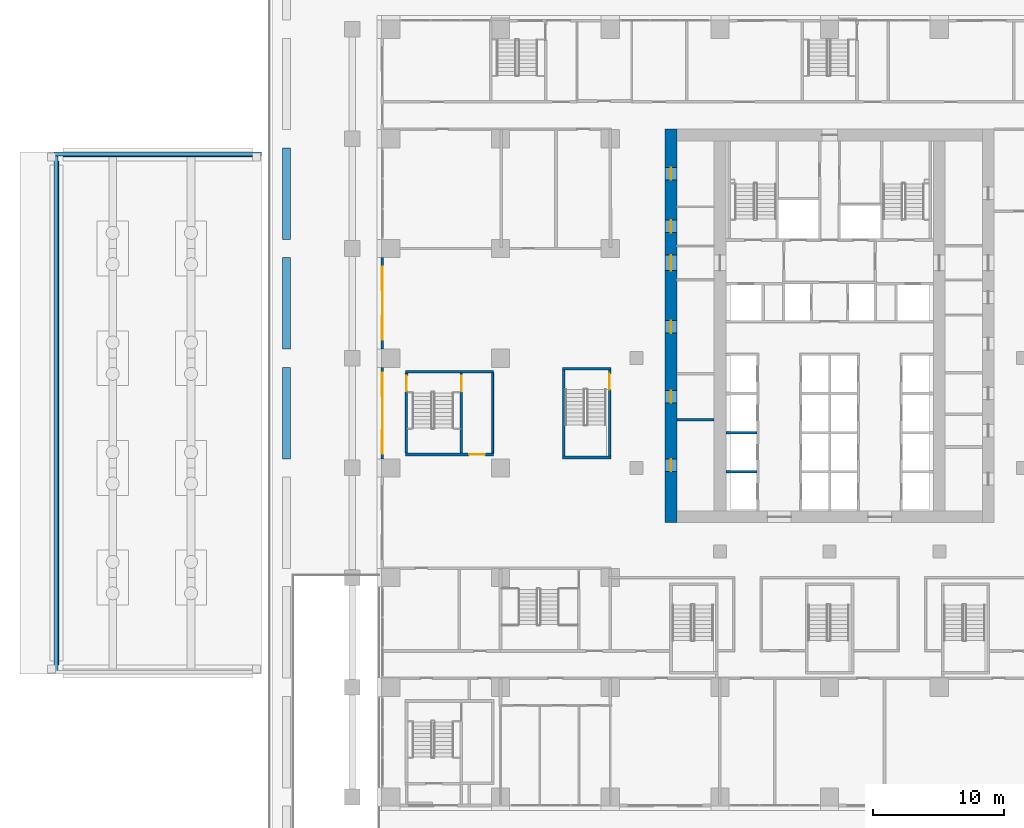
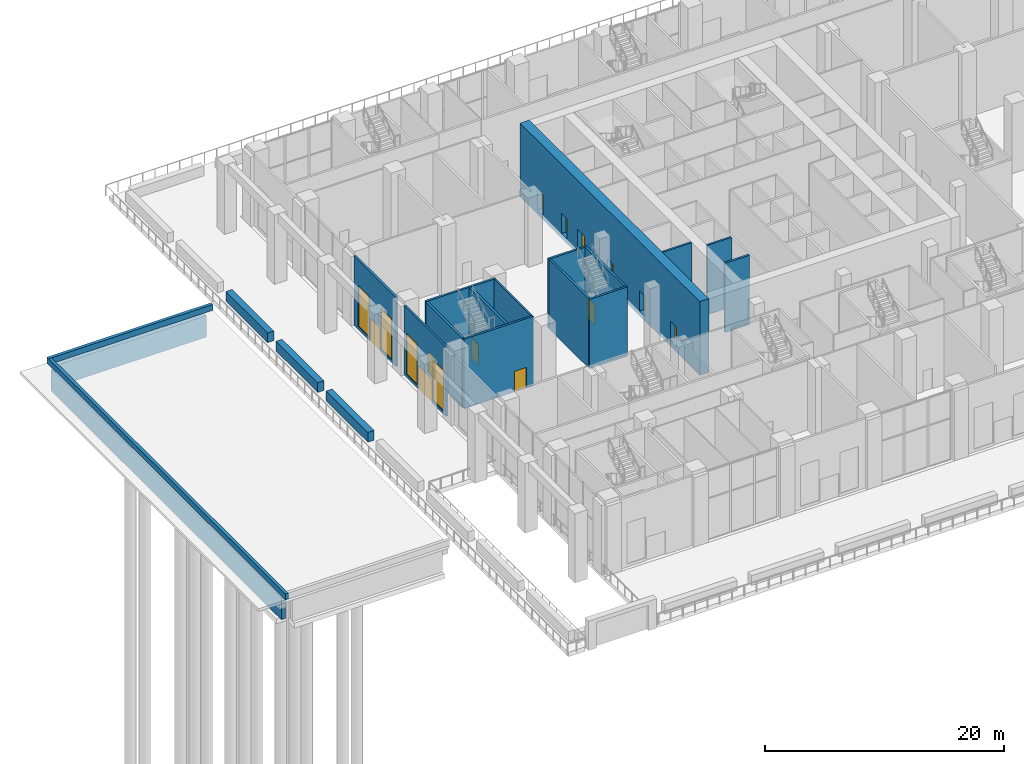
# One storey, part 23 of 53: 22 walls, 12 doors, 4 windows, 16 openings.
"""IFC4 building model written with IfcOpenShell, lengths in metres."""

from ifc_helpers import new_model, si_unit, direction, frame, frame_2d, origin, place, context, subcontext, project, spatial, rectangle, extrude, material, layer, layer_set, type_object, element, fill, save


model = new_model("IFC4")

# Units and contexts
model_context = context("Model", 3, precision=1e-05, world=origin(), true_north=direction((0.0, 1.0)))
body_context = subcontext(model_context, "Body", "Model", "MODEL_VIEW")
ifc_project = project(units=[si_unit("LENGTHUNIT", "METRE"), si_unit("AREAUNIT", "SQUARE_METRE"), si_unit("VOLUMEUNIT", "CUBIC_METRE"), si_unit("PLANEANGLEUNIT", "RADIAN"), si_unit("MASSUNIT", "GRAM", prefix="KILO")], contexts=[model_context])

# Site, building, storey
site_placement = place(None, origin())
site = spatial("IfcSite", under=ifc_project, at=site_placement, CompositionType="ELEMENT")
building_placement = place(site_placement, origin())
building = spatial("IfcBuilding", under=site, at=building_placement, Name="Vermilion Ogive Tower", CompositionType="ELEMENT")
storey_placement = place(building_placement, origin())
storey = spatial("IfcBuildingStorey", under=building, at=storey_placement, Name="L00", CompositionType="ELEMENT", Elevation=0.0)

# Wall, openings, doors
ifc_material_1 = material(Name="Concrete B80", Category="concrete")
ifc_layer_1 = layer(ifc_material_1, 0.89990234375)
ifc_layer_set_1 = layer_set([ifc_layer_1], Name="Core wall 900 B80")
wall_type_1 = type_object("IfcWallType", Name="Core wall 900 B80", PredefinedType="SHEAR", material=ifc_layer_set_1)
wall_1_placement = place(storey_placement, frame((-12.14990234375, -8.39990234375, -0.449951171875), z_axis=(0.0, 0.0, 1.0), x_axis=(0.0, 1.0, 0.0)))
wall_1 = element("IfcWall", 1, at=wall_1_placement, inside=storey, type_object=wall_type_1, Name="L00-CORE-W", PredefinedType="SHEAR", context=body_context, shape_type="SweptSolid", body=[
    extrude(rectangle(XDim=30.14990234375, YDim=0.89990234375, at=frame_2d((15.074951171875, 0.0))), origin(), (0.0, 0.0, 1.0), 7.550048828125),
])
opening_1_placement = place(wall_1_placement, frame((3.925048828125, 0.0, 0.449951171875)))
opening_1 = element("IfcOpeningElement", 2, at=opening_1_placement, cuts=wall_1, Name="Opening DAK001", PredefinedType="OPENING", context=body_context, shape_type="SweptSolid", body=[
    extrude(rectangle(XDim=0.949951171875, YDim=2.10009765625, at=frame_2d((0.47509765625, 1.050048828125))), frame((0.0, 0.4599609375, 0.0), z_axis=(0.0, -1.0, 0.0), x_axis=(1.0, 0.0, 0.0)), (0.0, 0.0, 1.0), 0.919921875),
])
opening_2_placement = place(wall_1_placement, frame((9.175048828125, 0.0, 0.449951171875)))
opening_2 = element("IfcOpeningElement", 3, at=opening_2_placement, cuts=wall_1, Name="Opening DAK002", PredefinedType="OPENING", context=body_context, shape_type="SweptSolid", body=[
    extrude(rectangle(XDim=0.949951171875, YDim=2.10009765625, at=frame_2d((0.47509765625, 1.050048828125))), frame((0.0, 0.4599609375, 0.0), z_axis=(0.0, -1.0, 0.0), x_axis=(1.0, 0.0, 0.0)), (0.0, 0.0, 1.0), 0.919921875),
])
opening_3_placement = place(wall_1_placement, frame((14.52490234375, 0.0, 0.449951171875)))
opening_3 = element("IfcOpeningElement", 4, at=opening_3_placement, cuts=wall_1, Name="Opening DAK003", PredefinedType="OPENING", context=body_context, shape_type="SweptSolid", body=[
    extrude(rectangle(XDim=0.949951171875, YDim=2.10009765625, at=frame_2d((0.47509765625, 1.050048828125))), frame((0.0, 0.4599609375, 0.0), z_axis=(0.0, -1.0, 0.0), x_axis=(1.0, 0.0, 0.0)), (0.0, 0.0, 1.0), 0.919921875),
])
opening_4_placement = place(wall_1_placement, frame((22.22509765625, 0.0, 0.449951171875)))
opening_4 = element("IfcOpeningElement", 5, at=opening_4_placement, cuts=wall_1, Name="Opening DAK004", PredefinedType="OPENING", context=body_context, shape_type="SweptSolid", body=[
    extrude(rectangle(XDim=0.949951171875, YDim=2.10009765625, at=frame_2d((0.47509765625, 1.050048828125))), frame((0.0, 0.4599609375, 0.0), z_axis=(0.0, -1.0, 0.0), x_axis=(1.0, 0.0, 0.0)), (0.0, 0.0, 1.0), 0.919921875),
])
opening_5_placement = place(wall_1_placement, frame((26.25, 0.0, 0.449951171875)))
opening_5 = element("IfcOpeningElement", 6, at=opening_5_placement, cuts=wall_1, Name="Opening DAK005", PredefinedType="OPENING", context=body_context, shape_type="SweptSolid", body=[
    extrude(rectangle(XDim=0.949951171875, YDim=2.10009765625, at=frame_2d((0.47509765625, 1.050048828125))), frame((0.0, 0.4599609375, 0.0), z_axis=(0.0, -1.0, 0.0), x_axis=(1.0, 0.0, 0.0)), (0.0, 0.0, 1.0), 0.919921875),
])
opening_6_placement = place(wall_1_placement, frame((19.300048828125, 0.0, 0.449951171875)))
opening_6 = element("IfcOpeningElement", 7, at=opening_6_placement, cuts=wall_1, Name="Opening DBB001", PredefinedType="OPENING", context=body_context, shape_type="SweptSolid", body=[
    extrude(rectangle(XDim=1.199951171875, YDim=2.10009765625, at=frame_2d((0.60009765625, 1.050048828125))), frame((0.0, 0.4599609375, 0.0), z_axis=(0.0, -1.0, 0.0), x_axis=(1.0, 0.0, 0.0)), (0.0, 0.0, 1.0), 0.919921875),
])
ifc_material_2 = material(Name="Timber door leaf", Category="wood")
door_type_1 = type_object("IfcDoorType", Name="Link door 1200 x 2100 FD60S", OperationType="SINGLE_SWING_LEFT", PredefinedType="DOOR", material=ifc_material_2)
door_1_placement = place(opening_6_placement, origin())
door_1 = element("IfcDoor", 8, at=door_1_placement, inside=storey, type_object=door_type_1, Name="L00-CKW-XL", OperationType="SINGLE_SWING_LEFT", OverallHeight=2.10009765625, OverallWidth=1.199951171875, PredefinedType="DOOR", context=body_context, shape_type="SweptSolid", body=[
    extrude(rectangle(XDim=1.199951171875, YDim=2.10009765625, at=frame_2d((0.60009765625, 1.050048828125))), frame((0.0, 0.02490234375, 0.0), z_axis=(0.0, -1.0, 0.0), x_axis=(1.0, 0.0, 0.0)), (0.0, 0.0, 1.0), 0.050048828125),
])
fill(opening_6, door_1)
ifc_material_3 = material(Name="Timber door leaf", Category="wood")
door_type_2 = type_object("IfcDoorType", Name="Service door 950 x 2100 FD60", OperationType="SINGLE_SWING_LEFT", PredefinedType="DOOR", material=ifc_material_3)
door_2_placement = place(opening_1_placement, origin())
door_2 = element("IfcDoor", 9, at=door_2_placement, inside=storey, type_object=door_type_2, Name="L00-CKW-XR0", OperationType="SINGLE_SWING_LEFT", OverallHeight=2.10009765625, OverallWidth=0.949951171875, PredefinedType="DOOR", context=body_context, shape_type="SweptSolid", body=[
    extrude(rectangle(XDim=0.949951171875, YDim=2.10009765625, at=frame_2d((0.47509765625, 1.050048828125))), frame((0.0, 0.02490234375, 0.0), z_axis=(0.0, -1.0, 0.0), x_axis=(1.0, 0.0, 0.0)), (0.0, 0.0, 1.0), 0.050048828125),
])
fill(opening_1, door_2)
door_3_placement = place(opening_2_placement, origin())
door_3 = element("IfcDoor", 10, at=door_3_placement, inside=storey, type_object=door_type_2, Name="L00-CKW-XR1", OperationType="SINGLE_SWING_LEFT", OverallHeight=2.10009765625, OverallWidth=0.949951171875, PredefinedType="DOOR", context=body_context, shape_type="SweptSolid", body=[
    extrude(rectangle(XDim=0.949951171875, YDim=2.10009765625, at=frame_2d((0.47509765625, 1.050048828125))), frame((0.0, 0.02490234375, 0.0), z_axis=(0.0, -1.0, 0.0), x_axis=(1.0, 0.0, 0.0)), (0.0, 0.0, 1.0), 0.050048828125),
])
fill(opening_2, door_3)
door_4_placement = place(opening_3_placement, origin())
door_4 = element("IfcDoor", 11, at=door_4_placement, inside=storey, type_object=door_type_2, Name="L00-CKW-XR2", OperationType="SINGLE_SWING_LEFT", OverallHeight=2.10009765625, OverallWidth=0.949951171875, PredefinedType="DOOR", context=body_context, shape_type="SweptSolid", body=[
    extrude(rectangle(XDim=0.949951171875, YDim=2.10009765625, at=frame_2d((0.47509765625, 1.050048828125))), frame((0.0, 0.02490234375, 0.0), z_axis=(0.0, -1.0, 0.0), x_axis=(1.0, 0.0, 0.0)), (0.0, 0.0, 1.0), 0.050048828125),
])
fill(opening_3, door_4)
door_5_placement = place(opening_4_placement, origin())
door_5 = element("IfcDoor", 12, at=door_5_placement, inside=storey, type_object=door_type_2, Name="L00-CKW-XR3", OperationType="SINGLE_SWING_LEFT", OverallHeight=2.10009765625, OverallWidth=0.949951171875, PredefinedType="DOOR", context=body_context, shape_type="SweptSolid", body=[
    extrude(rectangle(XDim=0.949951171875, YDim=2.10009765625, at=frame_2d((0.47509765625, 1.050048828125))), frame((0.0, 0.02490234375, 0.0), z_axis=(0.0, -1.0, 0.0), x_axis=(1.0, 0.0, 0.0)), (0.0, 0.0, 1.0), 0.050048828125),
])
fill(opening_4, door_5)
door_6_placement = place(opening_5_placement, origin())
door_6 = element("IfcDoor", 13, at=door_6_placement, inside=storey, type_object=door_type_2, Name="L00-CKW-XR4", OperationType="SINGLE_SWING_LEFT", OverallHeight=2.10009765625, OverallWidth=0.949951171875, PredefinedType="DOOR", context=body_context, shape_type="SweptSolid", body=[
    extrude(rectangle(XDim=0.949951171875, YDim=2.10009765625, at=frame_2d((0.47509765625, 1.050048828125))), frame((0.0, 0.02490234375, 0.0), z_axis=(0.0, -1.0, 0.0), x_axis=(1.0, 0.0, 0.0)), (0.0, 0.0, 1.0), 0.050048828125),
])
fill(opening_5, door_6)

# Walls
ifc_material_4 = material(Name="Gypsum board partition on steel studs", Category="steel")
ifc_layer_2 = layer(ifc_material_4, 0.14990234375)
ifc_layer_set_2 = layer_set([ifc_layer_2], Name="Partition 150 corridor")
wall_type_2 = type_object("IfcWallType", Name="Partition 150 corridor", PredefinedType="PARTITIONING", material=ifc_layer_set_2)
wall_2_placement = place(storey_placement, frame((-25.800048828125, -3.074951171875, 0.0), z_axis=(0.0, 0.0, 1.0), x_axis=(0.0, 1.0, 0.0)))
element("IfcWall", 14, at=wall_2_placement, inside=storey, type_object=wall_type_2, Name="L00-FS-W-W059", PredefinedType="PARTITIONING", context=body_context, shape_type="SweptSolid", body=[
    extrude(rectangle(XDim=6.14990234375, YDim=0.14990234375, at=frame_2d((3.074951171875, 0.0))), origin(), (0.0, 0.0, 1.0), 7.10009765625),
])
ifc_material_5 = material(Name="Gypsum board partition on steel studs", Category="steel")
ifc_layer_3 = layer(ifc_material_5, 0.199951171875)
ifc_layer_set_3 = layer_set([ifc_layer_3], Name="Partition 200 party")
wall_type_3 = type_object("IfcWallType", Name="Partition 200 party", PredefinedType="PARTITIONING", material=ifc_layer_set_3)
for number, where, z_axis, x_axis, name in (
    (15, (-7.948974609375, -4.5, 0.0), (0.0, 0.0, 1.0), (1.0, 0.0, 0.0), "L00-CK-W-W001"),
    (16, (-7.948974609375, -1.5, 0.0), (0.0, 0.0, 1.0), (1.0, 0.0, 0.0), "L00-CK-W-W004"),
):
    element("IfcWall", number, at=place(storey_placement, frame(where, z_axis=z_axis, x_axis=x_axis)), inside=storey, type_object=wall_type_3, Name=name, PredefinedType="PARTITIONING", context=body_context, shape_type="SweptSolid", body=[
        extrude(rectangle(XDim=2.3740234375, YDim=0.199951171875, at=frame_2d((1.18701171875, 0.0))), origin(), (0.0, 0.0, 1.0), 7.10009765625),
    ])
wall_3_placement = place(storey_placement, frame((-11.698974609375, -0.5, 0.0), z_axis=(0.0, 0.0, 1.0), x_axis=(1.0, 0.0, 0.0)))
element("IfcWall", 17, at=wall_3_placement, inside=storey, type_object=wall_type_3, Name="L00-CKW-W-W001", PredefinedType="PARTITIONING", context=body_context, shape_type="SweptSolid", body=[
    extrude(rectangle(XDim=2.847900390625, YDim=0.199951171875, at=frame_2d((1.423828125, 0.0))), origin(), (0.0, 0.0, 1.0), 7.10009765625),
])
ifc_material_6 = material(Name="Concrete B45", Category="concrete")
ifc_layer_4 = layer(ifc_material_6, 0.300048828125)
ifc_layer_set_4 = layer_set([ifc_layer_4], Name="Quay edge curb QK1")
wall_type_4 = type_object("IfcWallType", Name="Quay edge curb QK1", PredefinedType="PARAPET", material=ifc_layer_set_4)
wall_4_placement = place(storey_placement, frame((-59.39990234375, 19.85009765625, 0.0), z_axis=(0.0, 0.0, 1.0), x_axis=(1.0, 0.0, 0.0)))
element("IfcWall", 18, at=wall_4_placement, inside=storey, type_object=wall_type_4, Name="Quay edge curb DROP N", PredefinedType="PARAPET", context=body_context, shape_type="SweptSolid", body=[
    extrude(rectangle(XDim=15.89990234375, YDim=0.300048828125, at=frame_2d((7.949951171875, 0.0))), origin(), (0.0, 0.0, 1.0), 0.60009765625),
])
wall_5_placement = place(storey_placement, frame((-59.25, -20.0, 0.0), z_axis=(0.0, 0.0, 1.0), x_axis=(0.0, 1.0, 0.0)))
element("IfcWall", 19, at=wall_5_placement, inside=storey, type_object=wall_type_4, Name="Quay edge curb DROP W", PredefinedType="PARAPET", context=body_context, shape_type="SweptSolid", body=[
    extrude(rectangle(XDim=40.0, YDim=0.300048828125, at=frame_2d((20.0, 0.0))), origin(), (0.0, 0.0, 1.0), 0.60009765625),
])
ifc_material_7 = material(Name="Concrete B45", Category="concrete")
ifc_layer_5 = layer(ifc_material_7, 0.39990234375)
ifc_layer_set_5 = layer_set([ifc_layer_5], Name="Quay wall QW2 400")
wall_type_5 = type_object("IfcWallType", Name="Quay wall QW2 400", PredefinedType="SOLIDWALL", material=ifc_layer_set_5)
wall_6_placement = place(storey_placement, frame((-58.699951171875, 19.800048828125, -2.449951171875), z_axis=(0.0, 0.0, 1.0), x_axis=(1.0, 0.0, 0.0)))
element("IfcWall", 20, at=wall_6_placement, inside=storey, type_object=wall_type_5, Name="Quay wall SITE-DROP N", PredefinedType="SOLIDWALL", context=body_context, shape_type="SweptSolid", body=[
    extrude(rectangle(XDim=14.5, YDim=0.39990234375, at=frame_2d((7.25, 0.0))), origin(), (0.0, 0.0, 1.0), 2.199951171875),
])
wall_7_placement = place(storey_placement, frame((-59.199951171875, -19.300048828125, -2.449951171875), z_axis=(0.0, 0.0, 1.0), x_axis=(0.0, 1.0, 0.0)))
element("IfcWall", 21, at=wall_7_placement, inside=storey, type_object=wall_type_5, Name="Quay wall SITE-DROP W", PredefinedType="SOLIDWALL", context=body_context, shape_type="SweptSolid", body=[
    extrude(rectangle(XDim=38.60009765625, YDim=0.39990234375, at=frame_2d((19.300048828125, 0.0))), origin(), (0.0, 0.0, 1.0), 2.199951171875),
])

# Wall, opening, door
ifc_material_8 = material(Name="Concrete B60", Category="concrete")
ifc_layer_6 = layer(ifc_material_8, 0.199951171875)
ifc_layer_set_6 = layer_set([ifc_layer_6], Name="Stair shaft wall 200 Concrete B60")
wall_type_6 = type_object("IfcWallType", Name="Stair shaft wall 200 Concrete B60", PredefinedType="SOLIDWALL", material=ifc_layer_set_6)
wall_8_placement = place(storey_placement, frame((-32.47509765625, -3.1748046875, 0.0), z_axis=(0.0, 0.0, 1.0), x_axis=(1.0, 0.0, 0.0)))
wall_8 = element("IfcWall", 22, at=wall_8_placement, inside=storey, type_object=wall_type_6, Name="L00-FS-W-W027", PredefinedType="SOLIDWALL", context=body_context, shape_type="SweptSolid", body=[
    extrude(rectangle(XDim=6.75, YDim=0.199951171875, at=frame_2d((3.375, 0.0))), origin(), (0.0, 0.0, 1.0), 7.10009765625),
])
opening_7_placement = place(wall_8_placement, frame((4.875, 0.0, 0.0)))
opening_7 = element("IfcOpeningElement", 23, at=opening_7_placement, cuts=wall_8, Name="Opening L00S025", PredefinedType="OPENING", context=body_context, shape_type="SweptSolid", body=[
    extrude(rectangle(XDim=1.199951171875, YDim=2.10009765625, at=frame_2d((0.60009765625, 1.050048828125))), frame((0.0, 0.10986328125, 0.0), z_axis=(0.0, -1.0, 0.0), x_axis=(1.0, 0.0, 0.0)), (0.0, 0.0, 1.0), 0.219970703125),
])
ifc_material_9 = material(Name="Timber door leaf", Category="wood")
door_type_3 = type_object("IfcDoorType", Name="Stair door 1200 x 2100 FD60S", OperationType="SINGLE_SWING_LEFT", PredefinedType="DOOR", material=ifc_material_9)
door_7_placement = place(opening_7_placement, origin())
door_7 = element("IfcDoor", 24, at=door_7_placement, inside=storey, type_object=door_type_3, Name="L00-FS-D-D025", OperationType="SINGLE_SWING_LEFT", OverallHeight=2.10009765625, OverallWidth=1.199951171875, PredefinedType="DOOR", context=body_context, shape_type="SweptSolid", body=[
    extrude(rectangle(XDim=1.199951171875, YDim=2.10009765625, at=frame_2d((0.60009765625, 1.050048828125))), frame((0.0, 0.02490234375, 0.0), z_axis=(0.0, -1.0, 0.0), x_axis=(1.0, 0.0, 0.0)), (0.0, 0.0, 1.0), 0.050048828125),
])
fill(opening_7, door_7)

# Wall
wall_9_placement = place(storey_placement, frame((-32.47509765625, 3.1748046875, 0.0), z_axis=(0.0, 0.0, 1.0), x_axis=(1.0, 0.0, 0.0)))
element("IfcWall", 25, at=wall_9_placement, inside=storey, type_object=wall_type_6, Name="L00-FS-W-W030", PredefinedType="SOLIDWALL", context=body_context, shape_type="SweptSolid", body=[
    extrude(rectangle(XDim=6.75, YDim=0.199951171875, at=frame_2d((3.375, 0.0))), origin(), (0.0, 0.0, 1.0), 7.10009765625),
])

# Wall, opening, door
wall_10_placement = place(storey_placement, frame((-32.4248046875, -3.074951171875, 0.0), z_axis=(0.0, 0.0, 1.0), x_axis=(0.004065655173, 0.99999173519, 0.0)))
wall_10 = element("IfcWall", 26, at=wall_10_placement, inside=storey, type_object=wall_type_6, Name="L00-FS-W-W050", PredefinedType="SOLIDWALL", context=body_context, shape_type="SweptSolid", body=[
    extrude(rectangle(XDim=6.125, YDim=0.199951171875, at=frame_2d((3.0625, 0.0))), origin(), (0.0, 0.0, 1.0), 7.10009765625),
])
opening_8_placement = place(wall_10_placement, frame((4.75, 0.0, 0.0)))
opening_8 = element("IfcOpeningElement", 27, at=opening_8_placement, cuts=wall_10, Name="Opening L00S016", PredefinedType="OPENING", context=body_context, shape_type="SweptSolid", body=[
    extrude(rectangle(XDim=1.199951171875, YDim=2.10009765625, at=frame_2d((0.60009765625, 1.050048828125))), frame((0.0, 0.10986328125, 0.0), z_axis=(0.0, -1.0, 0.0), x_axis=(1.0, 0.0, 0.0)), (0.0, 0.0, 1.0), 0.219970703125),
])
door_8_placement = place(opening_8_placement, origin())
door_8 = element("IfcDoor", 28, at=door_8_placement, inside=storey, type_object=door_type_3, Name="L00-FS-D-D016", OperationType="DOUBLE_DOOR_SINGLE_SWING", OverallHeight=2.10009765625, OverallWidth=1.199951171875, PredefinedType="DOOR", context=body_context, shape_type="SweptSolid", body=[
    extrude(rectangle(XDim=1.199951171875, YDim=2.10009765625, at=frame_2d((0.60009765625, 1.050048828125))), frame((0.0, 0.02490234375, 0.0), z_axis=(0.0, -1.0, 0.0), x_axis=(1.0, 0.0, 0.0)), (0.0, 0.0, 1.0), 0.050048828125),
])
fill(opening_8, door_8)

wall_11_placement = place(storey_placement, frame((-28.199951171875, -3.074951171875, 0.0), z_axis=(0.0, 0.0, 1.0), x_axis=(0.0, 1.0, 0.0)))
wall_11 = element("IfcWall", 29, at=wall_11_placement, inside=storey, type_object=wall_type_6, Name="L00-FS-W-W054", PredefinedType="SOLIDWALL", context=body_context, shape_type="SweptSolid", body=[
    extrude(rectangle(XDim=6.14990234375, YDim=0.199951171875, at=frame_2d((3.074951171875, 0.0))), origin(), (0.0, 0.0, 1.0), 7.10009765625),
])
opening_9_placement = place(wall_11_placement, frame((4.75, 0.0, 0.0)))
opening_9 = element("IfcOpeningElement", 30, at=opening_9_placement, cuts=wall_11, Name="Opening L00S015", PredefinedType="OPENING", context=body_context, shape_type="SweptSolid", body=[
    extrude(rectangle(XDim=1.199951171875, YDim=2.10009765625, at=frame_2d((0.60009765625, 1.050048828125))), frame((0.0, 0.10986328125, 0.0), z_axis=(0.0, -1.0, 0.0), x_axis=(1.0, 0.0, 0.0)), (0.0, 0.0, 1.0), 0.219970703125),
])
door_9_placement = place(opening_9_placement, origin())
door_9 = element("IfcDoor", 31, at=door_9_placement, inside=storey, type_object=door_type_3, Name="L00-FS-D-D015", OperationType="DOUBLE_DOOR_SINGLE_SWING", OverallHeight=2.10009765625, OverallWidth=1.199951171875, PredefinedType="DOOR", context=body_context, shape_type="SweptSolid", body=[
    extrude(rectangle(XDim=1.199951171875, YDim=2.10009765625, at=frame_2d((0.60009765625, 1.050048828125))), frame((0.0, 0.02490234375, 0.0), z_axis=(0.0, -1.0, 0.0), x_axis=(1.0, 0.0, 0.0)), (0.0, 0.0, 1.0), 0.050048828125),
])
fill(opening_9, door_9)

# Walls
for number, where, z_axis, x_axis, name in (
    (32, (-20.449951171875, -3.39990234375, 0.0), (0.0, 0.0, 1.0), (1.0, 0.0, 0.0), "L00-SW-ST9-S1"),
    (33, (-20.449951171875, 3.39990234375, 0.0), (0.0, 0.0, 1.0), (1.0, 0.0, 0.0), "L00-SW-ST9-N1"),
):
    element("IfcWall", number, at=place(storey_placement, frame(where, z_axis=z_axis, x_axis=x_axis)), inside=storey, type_object=wall_type_6, Name=name, PredefinedType="SOLIDWALL", context=body_context, shape_type="SweptSolid", body=[
        extrude(rectangle(XDim=3.699951171875, YDim=0.199951171875, at=frame_2d((1.85009765625, 0.0))), origin(), (0.0, 0.0, 1.0), 7.10009765625),
    ])
wall_12_placement = place(storey_placement, frame((-20.35009765625, -3.300048828125, 0.0), z_axis=(0.0, 0.0, 1.0), x_axis=(0.0, 1.0, 0.0)))
element("IfcWall", 34, at=wall_12_placement, inside=storey, type_object=wall_type_6, Name="L00-SW-ST9-W1", PredefinedType="SOLIDWALL", context=body_context, shape_type="SweptSolid", body=[
    extrude(rectangle(XDim=6.60009765625, YDim=0.199951171875, at=frame_2d((3.300048828125, 0.0))), origin(), (0.0, 0.0, 1.0), 7.10009765625),
])

# Wall, opening, door
wall_13_placement = place(storey_placement, frame((-16.85009765625, -3.300048828125, 0.0), z_axis=(0.0, 0.0, 1.0), x_axis=(0.0, 1.0, 0.0)))
wall_13 = element("IfcWall", 35, at=wall_13_placement, inside=storey, type_object=wall_type_6, Name="L00-SW-ST9-E1", PredefinedType="SOLIDWALL", context=body_context, shape_type="SweptSolid", body=[
    extrude(rectangle(XDim=6.60009765625, YDim=0.199951171875, at=frame_2d((3.300048828125, 0.0))), origin(), (0.0, 0.0, 1.0), 7.10009765625),
])
opening_10_placement = place(wall_13_placement, frame((5.10009765625, 0.0, 0.0)))
opening_10 = element("IfcOpeningElement", 36, at=opening_10_placement, cuts=wall_13, Name="Opening DBF001", PredefinedType="OPENING", context=body_context, shape_type="SweptSolid", body=[
    extrude(rectangle(XDim=1.199951171875, YDim=2.10009765625, at=frame_2d((0.60009765625, 1.050048828125))), frame((0.0, 0.10986328125, 0.0), z_axis=(0.0, -1.0, 0.0), x_axis=(1.0, 0.0, 0.0)), (0.0, 0.0, 1.0), 0.219970703125),
])
door_10_placement = place(opening_10_placement, origin())
door_10 = element("IfcDoor", 37, at=door_10_placement, inside=storey, type_object=door_type_3, Name="L00-SD-ST9", OperationType="SINGLE_SWING_LEFT", OverallHeight=2.10009765625, OverallWidth=1.199951171875, PredefinedType="DOOR", context=body_context, shape_type="SweptSolid", body=[
    extrude(rectangle(XDim=1.199951171875, YDim=2.10009765625, at=frame_2d((0.60009765625, 1.050048828125))), frame((0.0, 0.02490234375, 0.0), z_axis=(0.0, -1.0, 0.0), x_axis=(1.0, 0.0, 0.0)), (0.0, 0.0, 1.0), 0.050048828125),
])
fill(opening_10, door_10)

# Walls
ifc_material_10 = material(Name="Concrete B40", Category="concrete")
ifc_layer_7 = layer(ifc_material_10, 0.60009765625)
ifc_layer_set_7 = layer_set([ifc_layer_7], Name="Terrace planter")
wall_type_7 = type_object("IfcWallType", Name="Terrace planter", PredefinedType="USERDEFINED", material=ifc_layer_set_7)
for number, where, z_axis, x_axis, name in (
    (38, (-41.60009765625, -3.5, 0.0), (0.0, 0.0, 1.0), (0.0, 1.0, 0.0), "Terrace planter 1.1.38"),
    (39, (-41.60009765625, 4.89990234375, 0.0), (0.0, 0.0, 1.0), (0.0, 1.0, 0.0), "Terrace planter 1.1.39"),
    (40, (-41.60009765625, 13.300048828125, 0.0), (0.0, 0.0, 1.0), (0.0, 1.0, 0.0), "Terrace planter 1.1.40"),
):
    element("IfcWall", number, at=place(storey_placement, frame(where, z_axis=z_axis, x_axis=x_axis)), inside=storey, type_object=wall_type_7, Name=name, ObjectType="PLANTER", PredefinedType="USERDEFINED", context=body_context, shape_type="SweptSolid", body=[
        extrude(rectangle(XDim=7.0, YDim=0.60009765625, at=frame_2d((3.5, 0.0))), origin(), (0.0, 0.0, 1.0), 1.0),
    ])

# Wall, openings, windows, door
ifc_material_11 = material(Name="Aluminium window wall framing", Category="aluminium")
ifc_layer_8 = layer(ifc_material_11, 0.199951171875)
ifc_layer_set_8 = layer_set([ifc_layer_8], Name="Window wall")
wall_type_8 = type_object("IfcWallType", Name="Window wall", PredefinedType="STANDARD", material=ifc_layer_set_8)
wall_14_placement = place(storey_placement, frame((-34.25, 4.89990234375, 0.0), z_axis=(0.0, 0.0, 1.0), x_axis=(0.0, 1.0, 0.0)))
wall_14 = element("IfcWall", 41, at=wall_14_placement, inside=storey, type_object=wall_type_8, Name="Window wall W3", PredefinedType="STANDARD", context=body_context, shape_type="SweptSolid", body=[
    extrude(rectangle(XDim=7.0, YDim=0.199951171875, at=frame_2d((3.5, 0.0))), origin(), (0.0, 0.0, 1.0), 7.10009765625),
])
opening_11_placement = place(wall_14_placement, frame((4.5, 0.0, 0.300048828125)))
opening_11 = element("IfcOpeningElement", 42, at=opening_11_placement, cuts=wall_14, Name="Opening P-W3A", PredefinedType="OPENING", context=body_context, shape_type="SweptSolid", body=[
    extrude(rectangle(XDim=1.800048828125, YDim=4.199951171875, at=frame_2d((0.89990234375, 2.10009765625))), frame((0.0, 0.10986328125, 0.0), z_axis=(0.0, -1.0, 0.0), x_axis=(1.0, 0.0, 0.0)), (0.0, 0.0, 1.0), 0.219970703125),
])
opening_12_placement = place(wall_14_placement, frame((2.60009765625, 0.0, 0.0)))
opening_12 = element("IfcOpeningElement", 43, at=opening_12_placement, cuts=wall_14, Name="Opening D2-W3", PredefinedType="OPENING", context=body_context, shape_type="SweptSolid", body=[
    extrude(rectangle(XDim=1.800048828125, YDim=2.39990234375, at=frame_2d((0.89990234375, 1.199951171875))), frame((0.0, 0.10986328125, 0.0), z_axis=(0.0, -1.0, 0.0), x_axis=(1.0, 0.0, 0.0)), (0.0, 0.0, 1.0), 0.219970703125),
])
opening_13_placement = place(wall_14_placement, frame((0.699951171875, 0.0, 0.300048828125)))
opening_13 = element("IfcOpeningElement", 44, at=opening_13_placement, cuts=wall_14, Name="Opening P-W3B", PredefinedType="OPENING", context=body_context, shape_type="SweptSolid", body=[
    extrude(rectangle(XDim=1.800048828125, YDim=4.199951171875, at=frame_2d((0.89990234375, 2.10009765625))), frame((0.0, 0.10986328125, 0.0), z_axis=(0.0, -1.0, 0.0), x_axis=(1.0, 0.0, 0.0)), (0.0, 0.0, 1.0), 0.219970703125),
])
ifc_material_12 = material(Name="Aluminium framed double glazing", Category="aluminium")
window_type = type_object("IfcWindowType", Name="Podium window P 1800x4200 sill 300", PartitioningType="SINGLE_PANEL", PredefinedType="WINDOW", material=ifc_material_12)
window_1_placement = place(opening_11_placement, origin())
window_1 = element("IfcWindow", 45, at=window_1_placement, inside=storey, type_object=window_type, Name="Window W3A", OverallHeight=4.199951171875, OverallWidth=1.800048828125, PartitioningType="SINGLE_PANEL", PredefinedType="WINDOW", context=body_context, shape_type="SweptSolid", body=[
    extrude(rectangle(XDim=1.800048828125, YDim=4.199951171875, at=frame_2d((0.89990234375, 2.10009765625))), frame((0.0, 0.030029296875, 0.0), z_axis=(0.0, -1.0, 0.0), x_axis=(1.0, 0.0, 0.0)), (0.0, 0.0, 1.0), 0.06005859375),
])
fill(opening_11, window_1)
window_2_placement = place(opening_13_placement, origin())
window_2 = element("IfcWindow", 46, at=window_2_placement, inside=storey, type_object=window_type, Name="Window W3B", OverallHeight=4.199951171875, OverallWidth=1.800048828125, PartitioningType="SINGLE_PANEL", PredefinedType="WINDOW", context=body_context, shape_type="SweptSolid", body=[
    extrude(rectangle(XDim=1.800048828125, YDim=4.199951171875, at=frame_2d((0.89990234375, 2.10009765625))), frame((0.0, 0.030029296875, 0.0), z_axis=(0.0, -1.0, 0.0), x_axis=(1.0, 0.0, 0.0)), (0.0, 0.0, 1.0), 0.06005859375),
])
fill(opening_13, window_2)
ifc_material_13 = material(Name="Aluminium framed glazed door", Category="aluminium")
door_type_4 = type_object("IfcDoorType", Name="Terrace door D2", OperationType="SINGLE_SWING_LEFT", PredefinedType="DOOR", material=ifc_material_13)
door_11_placement = place(opening_12_placement, origin())
door_11 = element("IfcDoor", 47, at=door_11_placement, inside=storey, type_object=door_type_4, Name="Terrace door W3", OperationType="SINGLE_SWING_LEFT", OverallHeight=2.39990234375, OverallWidth=1.800048828125, PredefinedType="DOOR", context=body_context, shape_type="SweptSolid", body=[
    extrude(rectangle(XDim=1.800048828125, YDim=2.39990234375, at=frame_2d((0.89990234375, 1.199951171875))), frame((0.0, 0.02490234375, 0.0), z_axis=(0.0, -1.0, 0.0), x_axis=(1.0, 0.0, 0.0)), (0.0, 0.0, 1.0), 0.050048828125),
])
fill(opening_12, door_11)

# Wall, openings, door, windows
wall_15_placement = place(storey_placement, frame((-34.25, -3.5, 0.0), z_axis=(0.0, 0.0, 1.0), x_axis=(0.0, 1.0, 0.0)))
wall_15 = element("IfcWall", 48, at=wall_15_placement, inside=storey, type_object=wall_type_8, Name="Window wall W4", PredefinedType="STANDARD", context=body_context, shape_type="SweptSolid", body=[
    extrude(rectangle(XDim=7.0, YDim=0.199951171875, at=frame_2d((3.5, 0.0))), origin(), (0.0, 0.0, 1.0), 7.10009765625),
])
opening_14_placement = place(wall_15_placement, frame((4.800048828125, 0.0, 0.300048828125)))
opening_14 = element("IfcOpeningElement", 49, at=opening_14_placement, cuts=wall_15, Name="Opening P-W4A", PredefinedType="OPENING", context=body_context, shape_type="SweptSolid", body=[
    extrude(rectangle(XDim=1.800048828125, YDim=4.199951171875, at=frame_2d((0.89990234375, 2.10009765625))), frame((0.0, 0.10986328125, 0.0), z_axis=(0.0, -1.0, 0.0), x_axis=(1.0, 0.0, 0.0)), (0.0, 0.0, 1.0), 0.219970703125),
])
opening_15_placement = place(wall_15_placement, frame((2.300048828125, 0.0, 0.0)))
opening_15 = element("IfcOpeningElement", 50, at=opening_15_placement, cuts=wall_15, Name="Opening E1-W4", PredefinedType="OPENING", context=body_context, shape_type="SweptSolid", body=[
    extrude(rectangle(XDim=2.39990234375, YDim=2.39990234375, at=frame_2d((1.199951171875, 1.199951171875))), frame((0.0, 0.10986328125, 0.0), z_axis=(0.0, -1.0, 0.0), x_axis=(1.0, 0.0, 0.0)), (0.0, 0.0, 1.0), 0.219970703125),
])
opening_16_placement = place(wall_15_placement, frame((0.39990234375, 0.0, 0.300048828125)))
opening_16 = element("IfcOpeningElement", 51, at=opening_16_placement, cuts=wall_15, Name="Opening P-W4B", PredefinedType="OPENING", context=body_context, shape_type="SweptSolid", body=[
    extrude(rectangle(XDim=1.800048828125, YDim=4.199951171875, at=frame_2d((0.89990234375, 2.10009765625))), frame((0.0, 0.10986328125, 0.0), z_axis=(0.0, -1.0, 0.0), x_axis=(1.0, 0.0, 0.0)), (0.0, 0.0, 1.0), 0.219970703125),
])
ifc_material_14 = material(Name="Aluminium framed glazed door", Category="aluminium")
door_type_5 = type_object("IfcDoorType", Name="Entrance door E1", OperationType="DOUBLE_DOOR_SINGLE_SWING", PredefinedType="DOOR", material=ifc_material_14)
door_12_placement = place(opening_15_placement, origin())
door_12 = element("IfcDoor", 52, at=door_12_placement, inside=storey, type_object=door_type_5, Name="Entrance door W4", OperationType="SINGLE_SWING_LEFT", OverallHeight=2.39990234375, OverallWidth=2.39990234375, PredefinedType="DOOR", context=body_context, shape_type="SweptSolid", body=[
    extrude(rectangle(XDim=2.39990234375, YDim=2.39990234375, at=frame_2d((1.199951171875, 1.199951171875))), frame((0.0, 0.02490234375, 0.0), z_axis=(0.0, -1.0, 0.0), x_axis=(1.0, 0.0, 0.0)), (0.0, 0.0, 1.0), 0.050048828125),
])
fill(opening_15, door_12)
window_3_placement = place(opening_14_placement, origin())
window_3 = element("IfcWindow", 53, at=window_3_placement, inside=storey, type_object=window_type, Name="Window W4A", OverallHeight=4.199951171875, OverallWidth=1.800048828125, PartitioningType="SINGLE_PANEL", PredefinedType="WINDOW", context=body_context, shape_type="SweptSolid", body=[
    extrude(rectangle(XDim=1.800048828125, YDim=4.199951171875, at=frame_2d((0.89990234375, 2.10009765625))), frame((0.0, 0.030029296875, 0.0), z_axis=(0.0, -1.0, 0.0), x_axis=(1.0, 0.0, 0.0)), (0.0, 0.0, 1.0), 0.06005859375),
])
fill(opening_14, window_3)
window_4_placement = place(opening_16_placement, origin())
window_4 = element("IfcWindow", 54, at=window_4_placement, inside=storey, type_object=window_type, Name="Window W4B", OverallHeight=4.199951171875, OverallWidth=1.800048828125, PartitioningType="SINGLE_PANEL", PredefinedType="WINDOW", context=body_context, shape_type="SweptSolid", body=[
    extrude(rectangle(XDim=1.800048828125, YDim=4.199951171875, at=frame_2d((0.89990234375, 2.10009765625))), frame((0.0, 0.030029296875, 0.0), z_axis=(0.0, -1.0, 0.0), x_axis=(1.0, 0.0, 0.0)), (0.0, 0.0, 1.0), 0.06005859375),
])
fill(opening_16, window_4)

save(model, "model.ifc")
